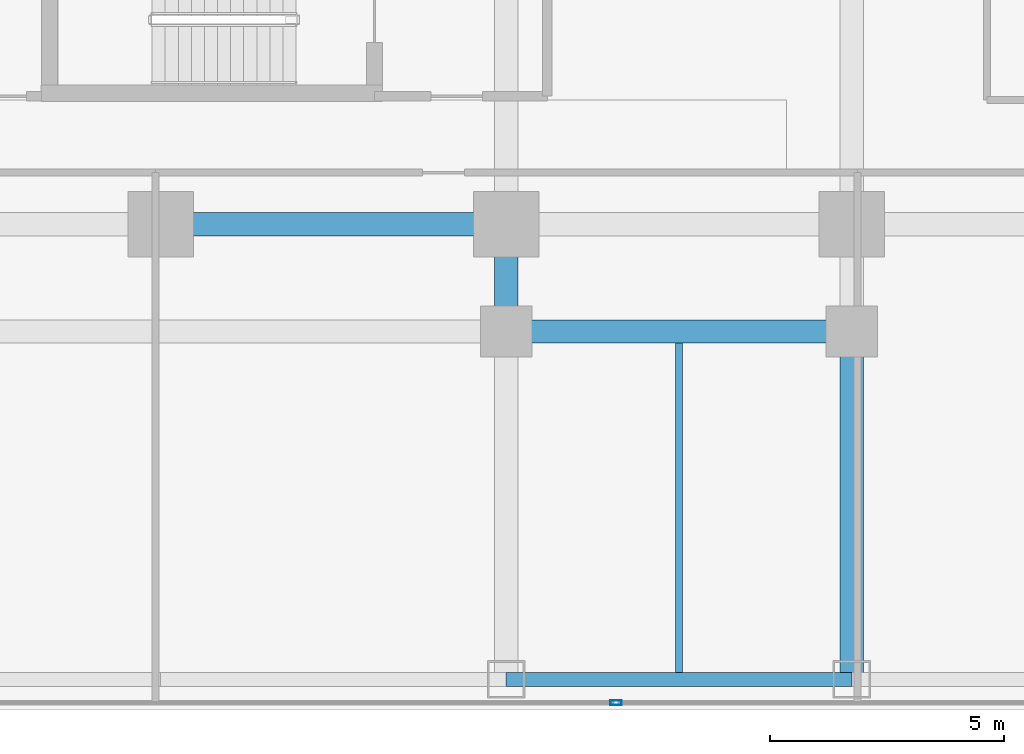
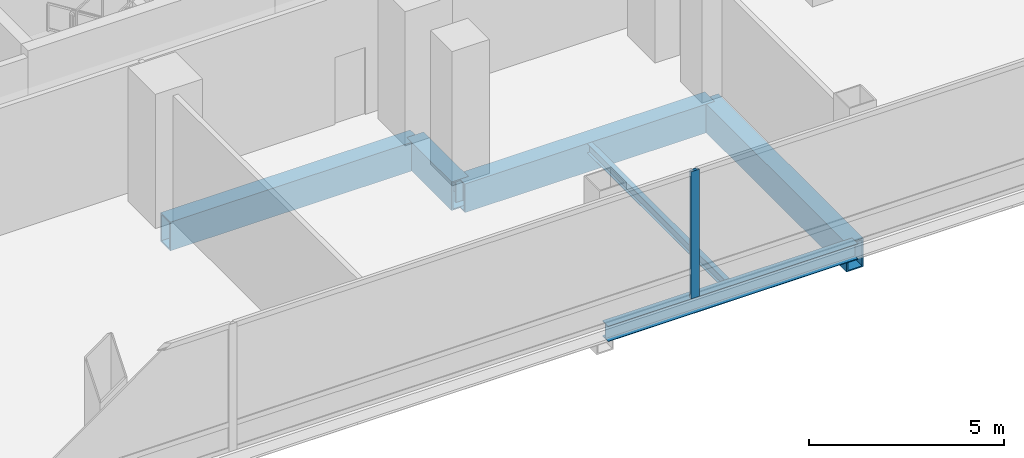
# One storey, part 8 of 29: 6 beams, 1 member, 1 element without a shape of its own.
"""IFC4 building model written with IfcOpenShell, lengths in metres."""

from ifc_helpers import new_model, si_unit, direction, frame, origin, origin_2d, place, context, subcontext, project, spatial, hollow_rectangle, i_section, extrude, material, layer, layer_set, material_profile, profile_set, type_object, element, aggregate, save


model = new_model("IFC4")

# Units and contexts
model_context = context("Model", 3, precision=1e-05, world=origin(), true_north=direction((0.0, 1.0)))
body_context = subcontext(model_context, "Body", "Model", "MODEL_VIEW")
ifc_project = project(units=[si_unit("LENGTHUNIT", "METRE"), si_unit("AREAUNIT", "SQUARE_METRE"), si_unit("VOLUMEUNIT", "CUBIC_METRE"), si_unit("PLANEANGLEUNIT", "RADIAN"), si_unit("MASSUNIT", "GRAM", prefix="KILO")], contexts=[model_context])

# Site, building, storey
site_placement = place(None, origin())
site = spatial("IfcSite", under=ifc_project, at=site_placement, CompositionType="ELEMENT")
building_placement = place(site_placement, origin())
building = spatial("IfcBuilding", under=site, at=building_placement, Name="Khorvyn Point Tower", CompositionType="ELEMENT")
storey_placement = place(building_placement, frame((0.0, 0.0, 26.39990234375)))
storey = spatial("IfcBuildingStorey", under=building, at=storey_placement, Name="L07", CompositionType="ELEMENT", Elevation=26.39990234375)

# Curtain wall, member
ifc_material_1 = material(Name="Anodised aluminium 6063-T6 and laminated Low-E glass", Category="aluminium")
ifc_layer = layer(ifc_material_1, 0.18994140625)
ifc_layer_set = layer_set([ifc_layer], Name="Stick-Built Finned Residential Curtain Wall CW-SYS-02")
curtain_wall_type = type_object("IfcCurtainWallType", Name="Stick-Built Finned Residential Curtain Wall CW-SYS-02", PredefinedType="NOTDEFINED", material=ifc_layer_set)
curtain_wall_placement = place(storey_placement, origin())
curtain_wall = element("IfcCurtainWall", 1, at=curtain_wall_placement, inside=storey, type_object=curtain_wall_type, Name="Curtain Wall", PredefinedType="NOTDEFINED")
ifc_material_2 = material(Name="Anodised aluminium 6063-T6", Category="aluminium")
ifc_material_profile_1 = material_profile(ifc_material_2, hollow_rectangle(XDim=0.10009765625, YDim=0.239990234375, WallThickness=0.0048828125, at=origin_2d()))
ifc_profile_set_1 = profile_set([ifc_material_profile_1], Name="Anodised aluminium 6063-T6 ALU-MUL-100x240")
member_type = type_object("IfcMemberType", Name="Anodised Aluminium 6063-T6 Mullion ALU-MUL-100x240", PredefinedType="MULLION", material=ifc_profile_set_1)
member_placement = place(storey_placement, frame((9.75, -25.050048828125, 0.0), z_axis=(0.0, 0.0, 1.0), x_axis=(0.0, -1.0, 0.0)))
member = element("IfcMember", 2, at=member_placement, type_object=member_type, Name="Transom", PredefinedType="MULLION", context=body_context, shape_type="SweptSolid", body=[
    extrude(hollow_rectangle(XDim=0.10009765625, YDim=0.239990234375, WallThickness=0.0048828125, at=origin_2d()), origin(), (0.0, 0.0, 1.0), 3.97998046875),
])
aggregate(curtain_wall, [member])

# Beams
ifc_material_3 = material(Name="Steel S355", Category="steel")
ifc_material_profile_2 = material_profile(ifc_material_3, i_section(OverallWidth=0.14990234375, OverallDepth=0.300048828125, WebThickness=0.006591796875, FlangeThickness=0.009033203125, at=origin_2d()))
ifc_profile_set_2 = profile_set([ifc_material_profile_2], Name="Steel S355 H300x150x6.5x9")
beam_type_1 = type_object("IfcBeamType", Name="Steel S355 Joist H300x150x6.5x9", PredefinedType="JOIST", material=ifc_profile_set_2)
beam_1_placement = place(storey_placement, frame((11.10009765625, -24.39990234375, -0.469970703125), z_axis=(0.0, 1.0, 0.0), x_axis=(-1.0, 0.0, 0.0)))
element("IfcBeam", 3, at=beam_1_placement, inside=storey, type_object=beam_type_1, Name="Beam", PredefinedType="JOIST", context=body_context, shape_type="SweptSolid", body=[
    extrude(i_section(OverallWidth=0.14990234375, OverallDepth=0.300048828125, WebThickness=0.006591796875, FlangeThickness=0.009033203125, at=origin_2d()), origin(), (0.0, 0.0, 1.0), 7.0498046875),
])
ifc_material_profile_3 = material_profile(ifc_material_3, i_section(OverallWidth=0.300048828125, OverallDepth=0.488037109375, WebThickness=0.010986328125, FlangeThickness=0.01806640625, at=origin_2d()))
ifc_profile_set_3 = profile_set([ifc_material_profile_3], Name="Steel S355 H488x300x11x18")
beam_type_2 = type_object("IfcBeamType", Name="Steel S355 Spandrel H488x300x11x18", PredefinedType="SPANDREL", material=ifc_profile_set_3)
beam_2_placement = place(storey_placement, frame((7.39990234375, -24.550048828125, -0.56396484375), z_axis=(1.0, 0.0, 0.0), x_axis=(0.0, 1.0, 0.0)))
element("IfcBeam", 4, at=beam_2_placement, inside=storey, type_object=beam_type_2, Name="Beam", PredefinedType="SPANDREL", context=body_context, shape_type="SweptSolid", body=[
    extrude(i_section(OverallWidth=0.300048828125, OverallDepth=0.488037109375, WebThickness=0.010986328125, FlangeThickness=0.01806640625, at=origin_2d()), origin(), (0.0, 0.0, 1.0), 7.400146484375),
])
ifc_material_4 = material(Name="Steel S450", Category="steel")
ifc_material_profile_4 = material_profile(ifc_material_4, hollow_rectangle(XDim=0.5, YDim=0.89990234375, WallThickness=0.0400390625, at=origin_2d()))
ifc_profile_set_4 = profile_set([ifc_material_profile_4], Name="Steel S450 BOX900x500x40")
beam_type_3 = type_object("IfcBeamType", Name="Steel S450 Beam BOX900x500x40", PredefinedType="BEAM", material=ifc_profile_set_4)
beam_3_placement = place(storey_placement, frame((0.0, -14.800048828125, -0.77001953125), z_axis=(1.0, 0.0, 0.0), x_axis=(0.0, 1.0, 0.0)))
element("IfcBeam", 5, at=beam_3_placement, inside=storey, type_object=beam_type_3, Name="L07 Radial Transfer Girder", PredefinedType="BEAM", context=body_context, shape_type="SweptSolid", body=[
    extrude(hollow_rectangle(XDim=0.5, YDim=0.89990234375, WallThickness=0.0400390625, at=origin_2d()), origin(), (0.0, 0.0, 1.0), 7.39990234375),
])
beam_4_placement = place(storey_placement, frame((7.39990234375, -17.10009765625, -0.77001953125), z_axis=(1.0, 0.0, 0.0), x_axis=(0.0, 1.0, 0.0)))
element("IfcBeam", 6, at=beam_4_placement, inside=storey, type_object=beam_type_3, Name="Beam", PredefinedType="BEAM", context=body_context, shape_type="SweptSolid", body=[
    extrude(hollow_rectangle(XDim=0.5, YDim=0.89990234375, WallThickness=0.0400390625, at=origin_2d()), origin(), (0.0, 0.0, 1.0), 7.400146484375),
])
beam_5_placement = place(storey_placement, frame((14.800048828125, -24.550048828125, -0.77001953125), z_axis=(0.0, 1.0, 0.0), x_axis=(-1.0, 0.0, 0.0)))
element("IfcBeam", 7, at=beam_5_placement, inside=storey, type_object=beam_type_3, Name="L07 Radial Transfer Girder", PredefinedType="BEAM", context=body_context, shape_type="SweptSolid", body=[
    extrude(hollow_rectangle(XDim=0.5, YDim=0.89990234375, WallThickness=0.0400390625, at=origin_2d()), origin(), (0.0, 0.0, 1.0), 7.449951171875),
])
beam_6_placement = place(storey_placement, frame((7.39990234375, -17.10009765625, -0.77001953125), z_axis=(0.0, 1.0, 0.0), x_axis=(-1.0, 0.0, 0.0)))
element("IfcBeam", 8, at=beam_6_placement, inside=storey, type_object=beam_type_3, Name="Beam", PredefinedType="BEAM", context=body_context, shape_type="SweptSolid", body=[
    extrude(hollow_rectangle(XDim=0.5, YDim=0.89990234375, WallThickness=0.0400390625, at=origin_2d()), origin(), (0.0, 0.0, 1.0), 2.300048828125),
])

save(model, "model.ifc")
